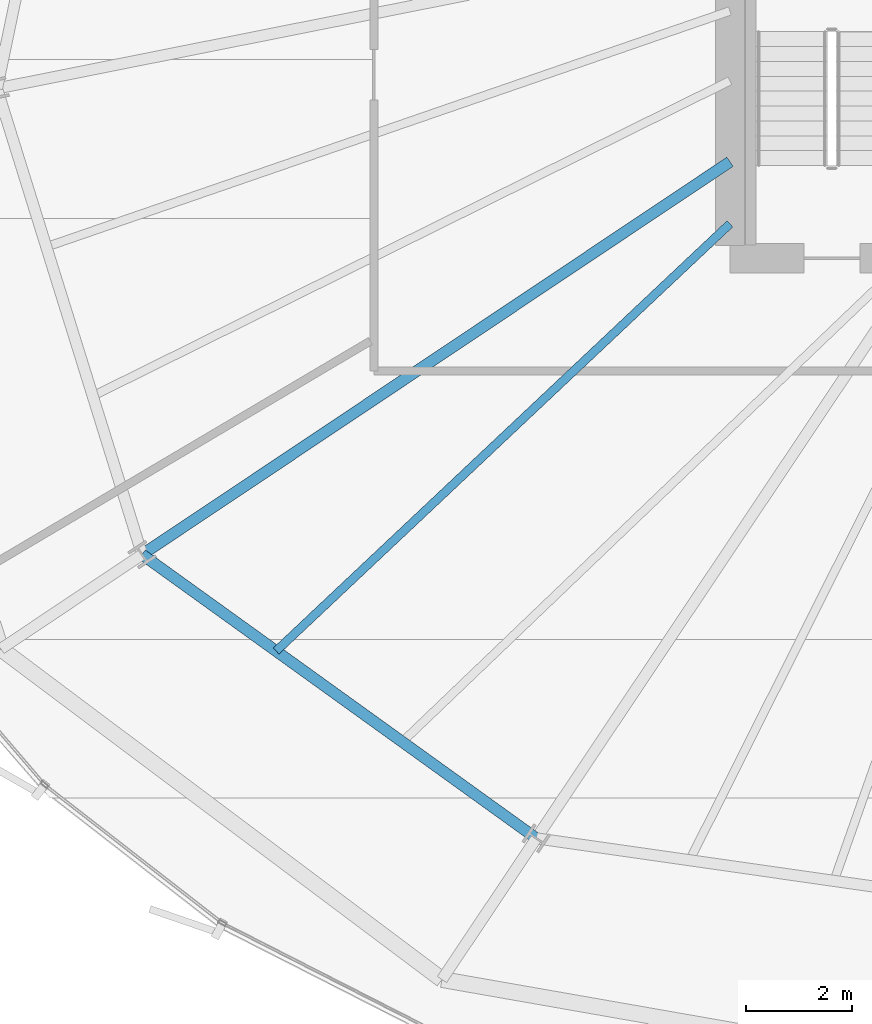
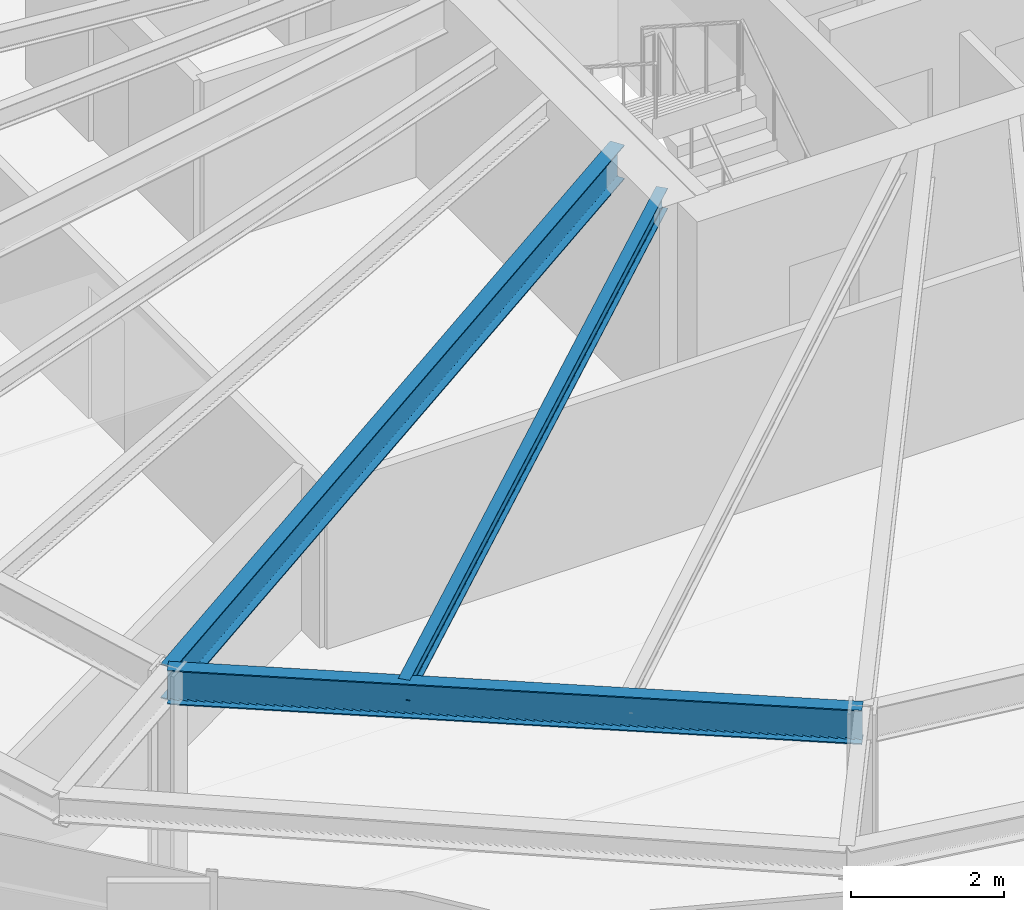
# One storey, part 4 of 34: 3 beams.
"""IFC4 building model written with IfcOpenShell, lengths in metres."""

from ifc_helpers import new_model, si_unit, direction, frame, origin, origin_2d, place, context, subcontext, project, spatial, i_section, extrude, source, transform, mapped, material, material_profile, profile_set, type_object, element, save


model = new_model("IFC4")

# Units and contexts
model_context = context("Model", 3, precision=1e-05, world=origin(), true_north=direction((0.0, 1.0)))
body_context = subcontext(model_context, "Body", "Model", "MODEL_VIEW")
ifc_project = project(units=[si_unit("LENGTHUNIT", "METRE"), si_unit("AREAUNIT", "SQUARE_METRE"), si_unit("VOLUMEUNIT", "CUBIC_METRE"), si_unit("PLANEANGLEUNIT", "RADIAN"), si_unit("MASSUNIT", "GRAM", prefix="KILO"), si_unit("THERMODYNAMICTEMPERATUREUNIT", "KELVIN")], contexts=[model_context])

# Site, building, storey
site_placement = place(None, origin())
site = spatial("IfcSite", under=ifc_project, at=site_placement, CompositionType="ELEMENT")
building_placement = place(site_placement, origin())
building = spatial("IfcBuilding", under=site, at=building_placement, Name="Kethvar Cultural Tower", CompositionType="ELEMENT")
storey_placement = place(building_placement, frame((0.0, 0.0, 125.199951171875)))
storey = spatial("IfcBuildingStorey", under=building, at=storey_placement, Name="L31", CompositionType="ELEMENT", Elevation=125.199951171875)

# Beams
ifc_material = material(Name="Steel S355J2", Category="steel")
ifc_material_profile_1 = material_profile(ifc_material, i_section(OverallWidth=0.2099609375, OverallDepth=0.550048828125, WebThickness=0.010986328125, FlangeThickness=0.01708984375, FilletRadius=0.02392578125, at=origin_2d()), Name="Steel S355J2 — IPE550")
ifc_profile_set_1 = profile_set([ifc_material_profile_1], Name="Steel S355J2 — IPE550")
beam_type_1 = type_object("IfcBeamType", Name="BM-IPE550", PredefinedType="BEAM", material=ifc_profile_set_1)
shared_shape_1 = source(origin(), body_context, "Body", "SweptSolid", [
    extrude(i_section(OverallWidth=0.2099609375, OverallDepth=0.550048828125, WebThickness=0.010986328125, FlangeThickness=0.01708984375, FilletRadius=0.02392578125, at=origin_2d()), origin(), (0.0, 0.0, 1.0), 13.324951171875),
])
beam_1_placement = place(storey_placement, frame((38.0, 21.919921875, 3.072998046875), z_axis=(-0.831474815475, -0.555562445843, 0.0), x_axis=(0.555562445843, -0.831474815475, 0.0)))
element("IfcBeam", 1, at=beam_1_placement, inside=storey, type_object=beam_type_1, Name="L31 Primary Radial Beam RB-10", PredefinedType="BEAM", context=body_context, shape_type="MappedRepresentation", body=[
    mapped(shared_shape_1, transform((0.0, 0.0, 0.0), scale=1.0)),
])
shared_shape_2 = source(origin(), body_context, "Body", "SweptSolid", [
    extrude(i_section(OverallWidth=0.2099609375, OverallDepth=0.550048828125, WebThickness=0.010986328125, FlangeThickness=0.01708984375, FilletRadius=0.02392578125, at=origin_2d()), origin(), (0.0, 0.0, 1.0), 9.155029296875),
])
beam_2_placement = place(storey_placement, frame((26.920654296875, 14.51708984375, 3.072998046875), z_axis=(0.811590987974, -0.584226042076, 0.0), x_axis=(0.584226042076, 0.811590987974, 0.0)))
element("IfcBeam", 2, at=beam_2_placement, inside=storey, type_object=beam_type_1, Name="L31 Column Ring Tie Beam CR-10", PredefinedType="BEAM", context=body_context, shape_type="MappedRepresentation", body=[
    mapped(shared_shape_2, transform((0.0, 0.0, 0.0), scale=1.0)),
])
ifc_material_profile_2 = material_profile(ifc_material, i_section(OverallWidth=0.159912109375, OverallDepth=0.330078125, WebThickness=0.007568359375, FlangeThickness=0.011474609375, FilletRadius=0.01806640625, at=origin_2d()), Name="Steel S355J2 — IPE330")
ifc_profile_set_2 = profile_set([ifc_material_profile_2], Name="Steel S355J2 — IPE330")
beam_type_2 = type_object("IfcBeamType", Name="BM-J330", PredefinedType="JOIST", material=ifc_profile_set_2)
shared_shape_3 = source(origin(), body_context, "Body", "SweptSolid", [
    extrude(i_section(OverallWidth=0.159912109375, OverallDepth=0.330078125, WebThickness=0.007568359375, FlangeThickness=0.011474609375, FilletRadius=0.01806640625, at=origin_2d()), origin(), (0.0, 0.0, 1.0), 11.74658203125),
])
beam_3_placement = place(storey_placement, frame((38.0, 20.75, 3.18310546875), z_axis=(-0.728129818661, -0.685439251266, 0.0), x_axis=(0.685439251266, -0.728129818661, 0.0)))
element("IfcBeam", 3, at=beam_3_placement, inside=storey, type_object=beam_type_2, Name="L31 Composite Floor Joist J-10A", PredefinedType="JOIST", context=body_context, shape_type="MappedRepresentation", body=[
    mapped(shared_shape_3, transform((0.0, 0.0, 0.0), scale=1.0)),
])

save(model, "model.ifc")
